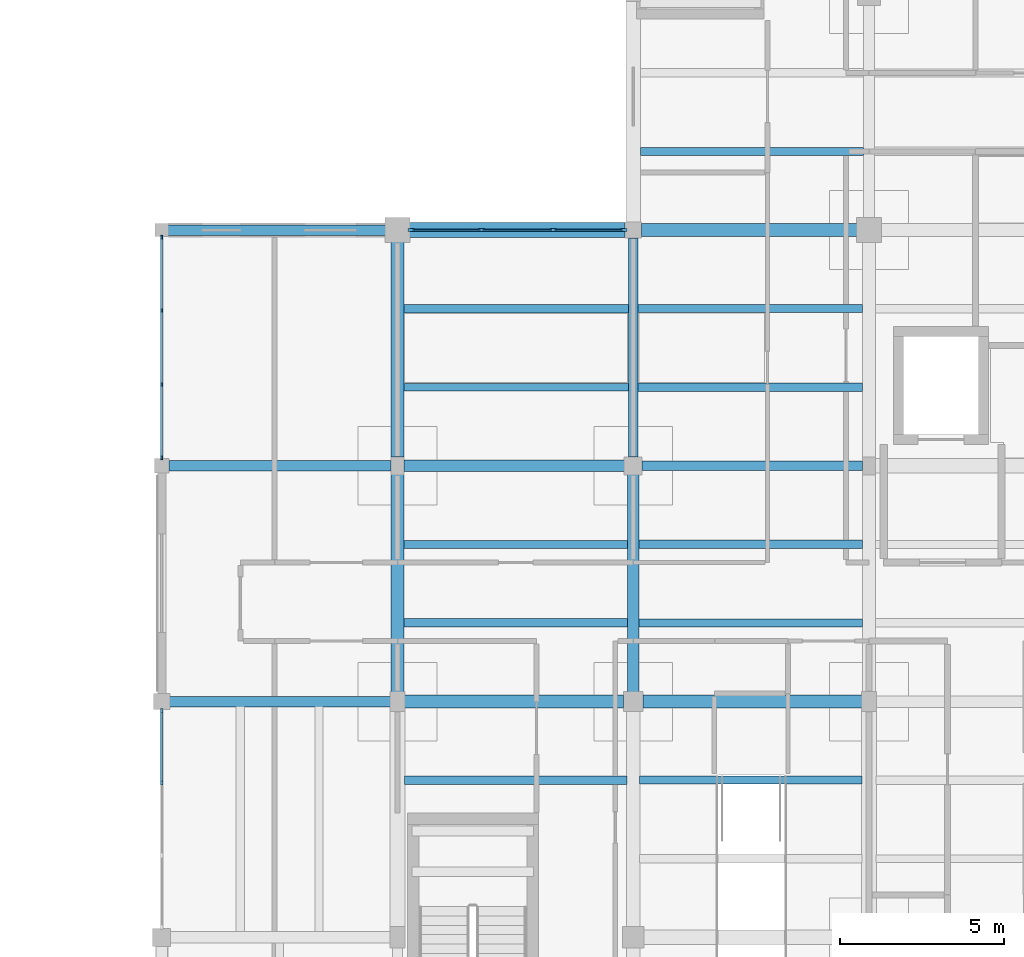
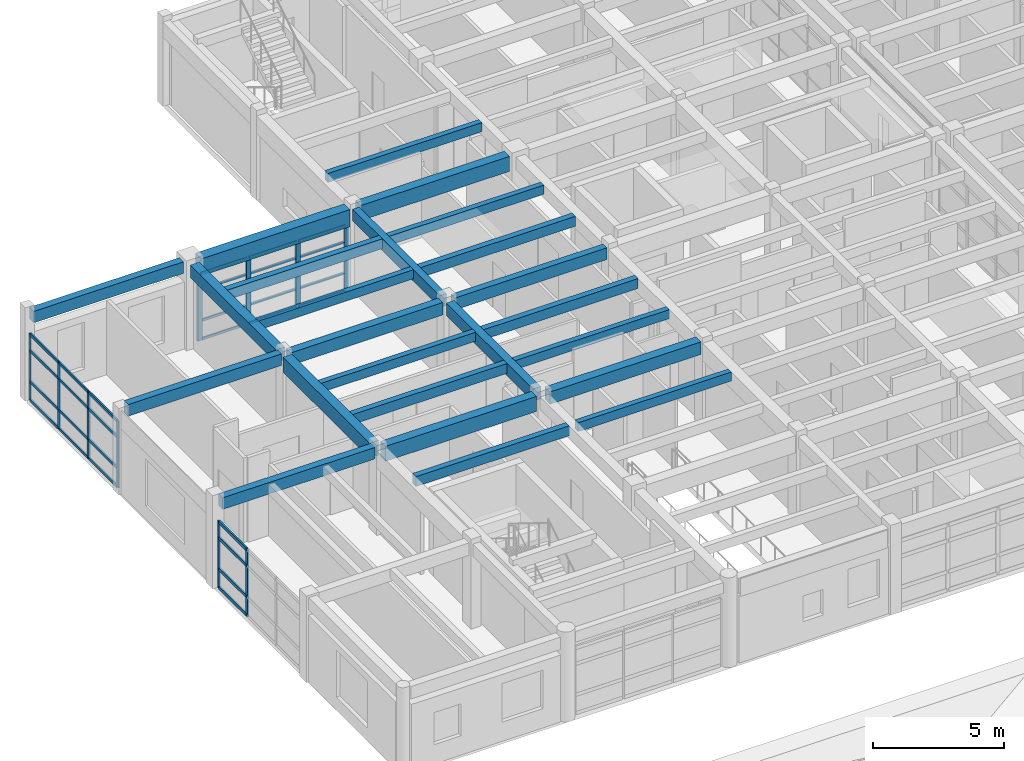
# One storey, part 29 of 110: 38 members, 24 beams, 3 elements without a shape of their own.
"""IFC4 building model written with IfcOpenShell, lengths in metres."""

from ifc_helpers import new_model, si_unit, direction, frame, origin, origin_2d, place, context, subcontext, project, spatial, rectangle, extrude, material, material_profile, profile_set, type_object, element, aggregate, save


model = new_model("IFC4")

# Units and contexts
model_context = context("Model", 3, precision=1e-05, world=origin(), true_north=direction((0.0, 1.0)))
body_context = subcontext(model_context, "Body", "Model", "MODEL_VIEW")
ifc_project = project(units=[si_unit("LENGTHUNIT", "METRE"), si_unit("AREAUNIT", "SQUARE_METRE"), si_unit("VOLUMEUNIT", "CUBIC_METRE"), si_unit("PLANEANGLEUNIT", "RADIAN"), si_unit("MASSUNIT", "GRAM", prefix="KILO")], contexts=[model_context])

# Site, building, storey
site_placement = place(None, origin())
site = spatial("IfcSite", under=ifc_project, at=site_placement, CompositionType="ELEMENT")
building_placement = place(site_placement, origin())
building = spatial("IfcBuilding", under=site, at=building_placement, Name="Steenspoor Specialist Clinic", CompositionType="ELEMENT")
storey_placement = place(building_placement, frame((0.0, 0.0, 4.800048828125)))
storey = spatial("IfcBuildingStorey", under=building, at=storey_placement, Name="L01", CompositionType="ELEMENT", Elevation=4.800048828125)

# Beams
ifc_material_1 = material(Name="Concrete C35/45", Category="concrete")
ifc_material_profile_1 = material_profile(ifc_material_1, rectangle(XDim=0.300048828125, YDim=0.550048828125, at=origin_2d()), Name="RC-BM-300X550")
ifc_profile_set_1 = profile_set([ifc_material_profile_1], Name="Concrete C35/45")
beam_type_1 = type_object("IfcBeamType", Name="BM-RC-300X550", PredefinedType="BEAM", material=ifc_profile_set_1)
beam_1_placement = place(storey_placement, frame((30.27001953125, 86.75, 3.675048828125), z_axis=(1.0, 0.0, 0.0), x_axis=(0.0, 1.0, 0.0)))
element("IfcBeam", 1, at=beam_1_placement, inside=storey, type_object=beam_type_1, Name="BM-V5-L01-X1166", PredefinedType="BEAM", context=body_context, shape_type="SweptSolid", body=[
    extrude(rectangle(XDim=0.300048828125, YDim=0.550048828125, at=origin_2d()), origin(), (0.0, 0.0, 1.0), 6.73486328125),
])
beam_2_placement = place(storey_placement, frame((30.0, 87.02001953125, 3.675048828125), z_axis=(0.0, 1.0, 0.0), x_axis=(-1.0, 0.0, 0.0)))
element("IfcBeam", 2, at=beam_2_placement, inside=storey, type_object=beam_type_1, Name="BM-V5-L01-Y1185", PredefinedType="BEAM", context=body_context, shape_type="SweptSolid", body=[
    extrude(rectangle(XDim=0.300048828125, YDim=0.550048828125, at=origin_2d()), origin(), (0.0, 0.0, 1.0), 6.68505859375),
])
ifc_material_profile_2 = material_profile(ifc_material_1, rectangle(XDim=0.35009765625, YDim=0.580078125, at=origin_2d()), Name="RC-BM-350X580")
ifc_profile_set_2 = profile_set([ifc_material_profile_2], Name="Concrete C35/45")
beam_type_2 = type_object("IfcBeamType", Name="BM-RC-350X580", PredefinedType="BEAM", material=ifc_profile_set_2)
beam_3_placement = place(storey_placement, frame((22.9951171875, 86.75, 3.659912109375), z_axis=(1.0, 0.0, 0.0), x_axis=(0.0, 1.0, 0.0)))
element("IfcBeam", 3, at=beam_3_placement, inside=storey, type_object=beam_type_2, Name="BM-V5-L01-X1165", PredefinedType="BEAM", context=body_context, shape_type="SweptSolid", body=[
    extrude(rectangle(XDim=0.35009765625, YDim=0.580078125, at=origin_2d()), origin(), (0.0, 0.0, 1.0), 6.73486328125),
])
beam_4_placement = place(storey_placement, frame((30.0, 79.844970703125, 3.659912109375), z_axis=(0.0, 1.0, 0.0), x_axis=(-1.0, 0.0, 0.0)))
element("IfcBeam", 4, at=beam_4_placement, inside=storey, type_object=beam_type_2, Name="BM-V5-L01-Y1184", PredefinedType="BEAM", context=body_context, shape_type="SweptSolid", body=[
    extrude(rectangle(XDim=0.35009765625, YDim=0.580078125, at=origin_2d()), origin(), (0.0, 0.0, 1.0), 6.635009765625),
])
ifc_material_profile_3 = material_profile(ifc_material_1, rectangle(XDim=0.39990234375, YDim=0.580078125, at=origin_2d()), Name="RC-BM-400X580")
ifc_profile_set_3 = profile_set([ifc_material_profile_3], Name="Concrete C35/45")
beam_type_3 = type_object("IfcBeamType", Name="BM-RC-400X580", PredefinedType="BEAM", material=ifc_profile_set_3)
beam_5_placement = place(storey_placement, frame((30.294921875, 79.550048828125, 3.659912109375), z_axis=(1.0, 0.0, 0.0), x_axis=(0.0, 1.0, 0.0)))
element("IfcBeam", 5, at=beam_5_placement, inside=storey, type_object=beam_type_3, Name="BM-V5-L01-X1162", PredefinedType="BEAM", context=body_context, shape_type="SweptSolid", body=[
    extrude(rectangle(XDim=0.39990234375, YDim=0.580078125, at=origin_2d()), origin(), (0.0, 0.0, 1.0), 6.68505859375),
])
beam_6_placement = place(storey_placement, frame((22.800048828125, 87.02001953125, 3.659912109375), z_axis=(0.0, 1.0, 0.0), x_axis=(-1.0, 0.0, 0.0)))
element("IfcBeam", 6, at=beam_6_placement, inside=storey, type_object=beam_type_3, Name="BM-V5-L01-Y1181", PredefinedType="BEAM", context=body_context, shape_type="SweptSolid", body=[
    extrude(rectangle(XDim=0.39990234375, YDim=0.580078125, at=origin_2d()), origin(), (0.0, 0.0, 1.0), 6.56005859375),
])
ifc_material_profile_4 = material_profile(ifc_material_1, rectangle(XDim=0.39990234375, YDim=0.699951171875, at=origin_2d()), Name="RC-BM-400X700")
ifc_profile_set_4 = profile_set([ifc_material_profile_4], Name="Concrete C35/45")
beam_type_4 = type_object("IfcBeamType", Name="BM-RC-400X700", PredefinedType="BEAM", material=ifc_profile_set_4)
beam_7_placement = place(storey_placement, frame((23.02001953125, 79.550048828125, 3.599853515625), z_axis=(1.0, 0.0, 0.0), x_axis=(0.0, 1.0, 0.0)))
element("IfcBeam", 7, at=beam_7_placement, inside=storey, type_object=beam_type_4, Name="BM-V5-L01-X1161", PredefinedType="BEAM", context=body_context, shape_type="SweptSolid", body=[
    extrude(rectangle(XDim=0.39990234375, YDim=0.699951171875, at=origin_2d()), origin(), (0.0, 0.0, 1.0), 6.68505859375),
])
beam_8_placement = place(storey_placement, frame((30.2451171875, 93.949951171875, 3.599853515625), z_axis=(1.0, 0.0, 0.0), x_axis=(0.0, 1.0, 0.0)))
element("IfcBeam", 8, at=beam_8_placement, inside=storey, type_object=beam_type_4, Name="BM-V5-L01-X1170", PredefinedType="BEAM", context=body_context, shape_type="SweptSolid", body=[
    extrude(rectangle(XDim=0.39990234375, YDim=0.699951171875, at=origin_2d()), origin(), (0.0, 0.0, 1.0), 6.5849609375),
])
beam_9_placement = place(storey_placement, frame((22.800048828125, 79.844970703125, 3.599853515625), z_axis=(0.0, 1.0, 0.0), x_axis=(-1.0, 0.0, 0.0)))
element("IfcBeam", 9, at=beam_9_placement, inside=storey, type_object=beam_type_4, Name="BM-V5-L01-Y1180", PredefinedType="BEAM", context=body_context, shape_type="SweptSolid", body=[
    extrude(rectangle(XDim=0.39990234375, YDim=0.699951171875, at=origin_2d()), origin(), (0.0, 0.0, 1.0), 6.635009765625),
])
ifc_material_profile_5 = material_profile(ifc_material_1, rectangle(XDim=0.449951171875, YDim=0.800048828125, at=origin_2d()), Name="RC-BM-450X800")
ifc_profile_set_5 = profile_set([ifc_material_profile_5], Name="Concrete C35/45")
beam_type_5 = type_object("IfcBeamType", Name="BM-RC-450X800", PredefinedType="BEAM", material=ifc_profile_set_5)
beam_10_placement = place(storey_placement, frame((23.169921875, 93.949951171875, 3.550048828125), z_axis=(1.0, 0.0, 0.0), x_axis=(0.0, 1.0, 0.0)))
element("IfcBeam", 10, at=beam_10_placement, inside=storey, type_object=beam_type_5, Name="BM-V5-L01-X1169", PredefinedType="BEAM", context=body_context, shape_type="SweptSolid", body=[
    extrude(rectangle(XDim=0.449951171875, YDim=0.800048828125, at=origin_2d()), origin(), (0.0, 0.0, 1.0), 6.5849609375),
])

# Curtain wall, members
ifc_material_2 = material(Name="Thermally broken aluminium and low-emissivity glass", Category="aluminium")
curtain_wall_type_1 = type_object("IfcCurtainWallType", Name="CW-WLK-360X340", PredefinedType="USERDEFINED", material=ifc_material_2)
curtain_wall_1_placement = place(storey_placement, origin())
curtain_wall_1 = element("IfcCurtainWall", 11, at=curtain_wall_1_placement, inside=storey, type_object=curtain_wall_type_1, Name="Unitised Curtain Wall CW-V5-L01-142", ObjectType="UNITISED GLAZING", PredefinedType="USERDEFINED")
ifc_material_3 = material(Name="Thermally broken aluminium 6063-T6", Category="aluminium")
ifc_material_profile_6 = material_profile(ifc_material_3, rectangle(XDim=0.06005859375, YDim=0.135009765625, at=origin_2d()), Name="CWM-60X135")
ifc_profile_set_6 = profile_set([ifc_material_profile_6], Name="Thermally broken aluminium 6063-T6")
member_type_1 = type_object("IfcMemberType", Name="CW-MULL-60X135", PredefinedType="MULLION", material=ifc_profile_set_6)
member_1_placement = place(storey_placement, frame((15.60009765625, 87.0048828125, 0.0), z_axis=(0.0, 0.0, 1.0), x_axis=(-1.0, 0.0, 0.0)))
member_1 = element("IfcMember", 12, at=member_1_placement, type_object=member_type_1, Name="CW-22 mullion 1", PredefinedType="MULLION", context=body_context, shape_type="SweptSolid", body=[
    extrude(rectangle(XDim=0.06005859375, YDim=0.135009765625, at=origin_2d()), origin(), (0.0, 0.0, 1.0), 3.1298828125),
])
member_2_placement = place(storey_placement, frame((15.60009765625, 89.2333984375, 0.0), z_axis=(0.0, 0.0, 1.0), x_axis=(-1.0, 0.0, 0.0)))
member_2 = element("IfcMember", 13, at=member_2_placement, type_object=member_type_1, Name="CW-22 mullion 2", PredefinedType="MULLION", context=body_context, shape_type="SweptSolid", body=[
    extrude(rectangle(XDim=0.06005859375, YDim=0.135009765625, at=origin_2d()), origin(), (0.0, 0.0, 1.0), 3.1298828125),
])
member_3_placement = place(storey_placement, frame((15.60009765625, 91.49169921875, 0.0), z_axis=(0.0, 0.0, 1.0), x_axis=(-1.0, 0.0, 0.0)))
member_3 = element("IfcMember", 14, at=member_3_placement, type_object=member_type_1, Name="CW-22 mullion 3", PredefinedType="MULLION", context=body_context, shape_type="SweptSolid", body=[
    extrude(rectangle(XDim=0.06005859375, YDim=0.135009765625, at=origin_2d()), origin(), (0.0, 0.0, 1.0), 3.1298828125),
])
member_4_placement = place(storey_placement, frame((15.60009765625, 93.719970703125, 0.0), z_axis=(0.0, 0.0, 1.0), x_axis=(-1.0, 0.0, 0.0)))
member_4 = element("IfcMember", 15, at=member_4_placement, type_object=member_type_1, Name="CW-22 mullion 4", PredefinedType="MULLION", context=body_context, shape_type="SweptSolid", body=[
    extrude(rectangle(XDim=0.06005859375, YDim=0.135009765625, at=origin_2d()), origin(), (0.0, 0.0, 1.0), 3.1298828125),
])

curtain_wall_type_2 = type_object("IfcCurtainWallType", Name="CW-WLK-520X340", PredefinedType="USERDEFINED", material=ifc_material_2)
curtain_wall_2_placement = place(storey_placement, origin())
curtain_wall_2 = element("IfcCurtainWall", 16, at=curtain_wall_2_placement, inside=storey, type_object=curtain_wall_type_2, Name="Unitised Curtain Wall CW-V5-L01-141", ObjectType="UNITISED GLAZING", PredefinedType="USERDEFINED")
ifc_material_profile_7 = material_profile(ifc_material_3, rectangle(XDim=0.06494140625, YDim=0.14990234375, at=origin_2d()), Name="CWM-65X150")
ifc_profile_set_7 = profile_set([ifc_material_profile_7], Name="Thermally broken aluminium 6063-T6")
member_type_2 = type_object("IfcMemberType", Name="CW-MULL-65X150", PredefinedType="MULLION", material=ifc_profile_set_7)
member_5_placement = place(storey_placement, frame((15.60009765625, 77.074951171875, 0.0), z_axis=(0.0, 0.0, 1.0), x_axis=(-1.0, 0.0, 0.0)))
member_5 = element("IfcMember", 17, at=member_5_placement, type_object=member_type_2, Name="CW-21 mullion 3", PredefinedType="MULLION", context=body_context, shape_type="SweptSolid", body=[
    extrude(rectangle(XDim=0.06494140625, YDim=0.14990234375, at=origin_2d()), origin(), (0.0, 0.0, 1.0), 3.1298828125),
])
member_6_placement = place(storey_placement, frame((15.60009765625, 79.267578125, 0.0), z_axis=(0.0, 0.0, 1.0), x_axis=(-1.0, 0.0, 0.0)))
member_6 = element("IfcMember", 18, at=member_6_placement, type_object=member_type_2, Name="CW-21 mullion 4", PredefinedType="MULLION", context=body_context, shape_type="SweptSolid", body=[
    extrude(rectangle(XDim=0.06494140625, YDim=0.14990234375, at=origin_2d()), origin(), (0.0, 0.0, 1.0), 3.1298828125),
])

curtain_wall_type_3 = type_object("IfcCurtainWallType", Name="CW-STR-220X355", PredefinedType="USERDEFINED", material=ifc_material_2)
curtain_wall_3_placement = place(storey_placement, origin())
curtain_wall_3 = element("IfcCurtainWall", 19, at=curtain_wall_3_placement, inside=storey, type_object=curtain_wall_type_3, Name="Unitised Curtain Wall CW-V5-L01-143", ObjectType="UNITISED GLAZING", PredefinedType="USERDEFINED")
ifc_material_profile_8 = material_profile(ifc_material_3, rectangle(XDim=0.090087890625, YDim=0.199951171875, at=origin_2d()), Name="CWM-90X200")
ifc_profile_set_8 = profile_set([ifc_material_profile_8], Name="Thermally broken aluminium 6063-T6")
member_type_3 = type_object("IfcMemberType", Name="CW-MULL-90X200", PredefinedType="MULLION", material=ifc_profile_set_8)
member_7_placement = place(storey_placement, frame((23.219970703125, 93.949951171875, 0.0), z_axis=(0.0, 0.0, 1.0), x_axis=(0.0, 1.0, 0.0)))
member_7 = element("IfcMember", 20, at=member_7_placement, type_object=member_type_3, Name="CW-23 mullion 1", PredefinedType="MULLION", context=body_context, shape_type="SweptSolid", body=[
    extrude(rectangle(XDim=0.090087890625, YDim=0.199951171875, at=origin_2d()), origin(), (0.0, 0.0, 1.0), 3.1298828125),
])
member_8_placement = place(storey_placement, frame((25.36669921875, 93.949951171875, 0.0), z_axis=(0.0, 0.0, 1.0), x_axis=(0.0, 1.0, 0.0)))
member_8 = element("IfcMember", 21, at=member_8_placement, type_object=member_type_3, Name="CW-23 mullion 2", PredefinedType="MULLION", context=body_context, shape_type="SweptSolid", body=[
    extrude(rectangle(XDim=0.090087890625, YDim=0.199951171875, at=origin_2d()), origin(), (0.0, 0.0, 1.0), 3.1298828125),
])
member_9_placement = place(storey_placement, frame((27.558349609375, 93.949951171875, 0.0), z_axis=(0.0, 0.0, 1.0), x_axis=(0.0, 1.0, 0.0)))
member_9 = element("IfcMember", 22, at=member_9_placement, type_object=member_type_3, Name="CW-23 mullion 3", PredefinedType="MULLION", context=body_context, shape_type="SweptSolid", body=[
    extrude(rectangle(XDim=0.090087890625, YDim=0.199951171875, at=origin_2d()), origin(), (0.0, 0.0, 1.0), 3.1298828125),
])
member_10_placement = place(storey_placement, frame((29.705078125, 93.949951171875, 0.0), z_axis=(0.0, 0.0, 1.0), x_axis=(0.0, 1.0, 0.0)))
member_10 = element("IfcMember", 23, at=member_10_placement, type_object=member_type_3, Name="CW-23 mullion 4", PredefinedType="MULLION", context=body_context, shape_type="SweptSolid", body=[
    extrude(rectangle(XDim=0.090087890625, YDim=0.199951171875, at=origin_2d()), origin(), (0.0, 0.0, 1.0), 3.1298828125),
])
ifc_material_profile_9 = material_profile(ifc_material_3, rectangle(XDim=0.06005859375, YDim=0.114990234375, at=origin_2d()), Name="CWT-60X115")
ifc_profile_set_9 = profile_set([ifc_material_profile_9], Name="Thermally broken aluminium 6063-T6")
member_type_4 = type_object("IfcMemberType", Name="CW-TRAN-60X115", PredefinedType="USERDEFINED", material=ifc_profile_set_9)
member_11_placement = place(storey_placement, frame((23.264892578125, 93.949951171875, 0.030029296875), z_axis=(1.0, 0.0, 0.0), x_axis=(0.0, 1.0, 0.0)))
member_11 = element("IfcMember", 24, at=member_11_placement, type_object=member_type_4, Name="CW-23 transom 1.1", ObjectType="TRANSOM", PredefinedType="USERDEFINED", context=body_context, shape_type="SweptSolid", body=[
    extrude(rectangle(XDim=0.06005859375, YDim=0.114990234375, at=origin_2d()), origin(), (0.0, 0.0, 1.0), 2.056884765625),
])
member_12_placement = place(storey_placement, frame((23.264892578125, 93.949951171875, 0.89990234375), z_axis=(1.0, 0.0, 0.0), x_axis=(0.0, 1.0, 0.0)))
member_12 = element("IfcMember", 25, at=member_12_placement, type_object=member_type_4, Name="CW-23 transom 1.2", ObjectType="TRANSOM", PredefinedType="USERDEFINED", context=body_context, shape_type="SweptSolid", body=[
    extrude(rectangle(XDim=0.06005859375, YDim=0.114990234375, at=origin_2d()), origin(), (0.0, 0.0, 1.0), 2.056884765625),
])
member_13_placement = place(storey_placement, frame((23.264892578125, 93.949951171875, 2.349853515625), z_axis=(1.0, 0.0, 0.0), x_axis=(0.0, 1.0, 0.0)))
member_13 = element("IfcMember", 26, at=member_13_placement, type_object=member_type_4, Name="CW-23 transom 1.3", ObjectType="TRANSOM", PredefinedType="USERDEFINED", context=body_context, shape_type="SweptSolid", body=[
    extrude(rectangle(XDim=0.06005859375, YDim=0.114990234375, at=origin_2d()), origin(), (0.0, 0.0, 1.0), 2.056884765625),
])
member_14_placement = place(storey_placement, frame((23.264892578125, 93.949951171875, 3.099853515625), z_axis=(1.0, 0.0, 0.0), x_axis=(0.0, 1.0, 0.0)))
member_14 = element("IfcMember", 27, at=member_14_placement, type_object=member_type_4, Name="CW-23 transom 1.4", ObjectType="TRANSOM", PredefinedType="USERDEFINED", context=body_context, shape_type="SweptSolid", body=[
    extrude(rectangle(XDim=0.06005859375, YDim=0.114990234375, at=origin_2d()), origin(), (0.0, 0.0, 1.0), 2.056884765625),
])
member_15_placement = place(storey_placement, frame((25.41162109375, 93.949951171875, 0.030029296875), z_axis=(1.0, 0.0, 0.0), x_axis=(0.0, 1.0, 0.0)))
member_15 = element("IfcMember", 28, at=member_15_placement, type_object=member_type_4, Name="CW-23 transom 2.1", ObjectType="TRANSOM", PredefinedType="USERDEFINED", context=body_context, shape_type="SweptSolid", body=[
    extrude(rectangle(XDim=0.06005859375, YDim=0.114990234375, at=origin_2d()), origin(), (0.0, 0.0, 1.0), 2.101806640625),
])
member_16_placement = place(storey_placement, frame((25.41162109375, 93.949951171875, 0.89990234375), z_axis=(1.0, 0.0, 0.0), x_axis=(0.0, 1.0, 0.0)))
member_16 = element("IfcMember", 29, at=member_16_placement, type_object=member_type_4, Name="CW-23 transom 2.2", ObjectType="TRANSOM", PredefinedType="USERDEFINED", context=body_context, shape_type="SweptSolid", body=[
    extrude(rectangle(XDim=0.06005859375, YDim=0.114990234375, at=origin_2d()), origin(), (0.0, 0.0, 1.0), 2.101806640625),
])
member_17_placement = place(storey_placement, frame((25.41162109375, 93.949951171875, 2.349853515625), z_axis=(1.0, 0.0, 0.0), x_axis=(0.0, 1.0, 0.0)))
member_17 = element("IfcMember", 30, at=member_17_placement, type_object=member_type_4, Name="CW-23 transom 2.3", ObjectType="TRANSOM", PredefinedType="USERDEFINED", context=body_context, shape_type="SweptSolid", body=[
    extrude(rectangle(XDim=0.06005859375, YDim=0.114990234375, at=origin_2d()), origin(), (0.0, 0.0, 1.0), 2.101806640625),
])
member_18_placement = place(storey_placement, frame((25.41162109375, 93.949951171875, 3.099853515625), z_axis=(1.0, 0.0, 0.0), x_axis=(0.0, 1.0, 0.0)))
member_18 = element("IfcMember", 31, at=member_18_placement, type_object=member_type_4, Name="CW-23 transom 2.4", ObjectType="TRANSOM", PredefinedType="USERDEFINED", context=body_context, shape_type="SweptSolid", body=[
    extrude(rectangle(XDim=0.06005859375, YDim=0.114990234375, at=origin_2d()), origin(), (0.0, 0.0, 1.0), 2.101806640625),
])
member_19_placement = place(storey_placement, frame((27.603271484375, 93.949951171875, 0.030029296875), z_axis=(1.0, 0.0, 0.0), x_axis=(0.0, 1.0, 0.0)))
member_19 = element("IfcMember", 32, at=member_19_placement, type_object=member_type_4, Name="CW-23 transom 3.1", ObjectType="TRANSOM", PredefinedType="USERDEFINED", context=body_context, shape_type="SweptSolid", body=[
    extrude(rectangle(XDim=0.06005859375, YDim=0.114990234375, at=origin_2d()), origin(), (0.0, 0.0, 1.0), 2.056640625),
])
member_20_placement = place(storey_placement, frame((27.603271484375, 93.949951171875, 0.89990234375), z_axis=(1.0, 0.0, 0.0), x_axis=(0.0, 1.0, 0.0)))
member_20 = element("IfcMember", 33, at=member_20_placement, type_object=member_type_4, Name="CW-23 transom 3.2", ObjectType="TRANSOM", PredefinedType="USERDEFINED", context=body_context, shape_type="SweptSolid", body=[
    extrude(rectangle(XDim=0.06005859375, YDim=0.114990234375, at=origin_2d()), origin(), (0.0, 0.0, 1.0), 2.056640625),
])
member_21_placement = place(storey_placement, frame((27.603271484375, 93.949951171875, 2.349853515625), z_axis=(1.0, 0.0, 0.0), x_axis=(0.0, 1.0, 0.0)))
member_21 = element("IfcMember", 34, at=member_21_placement, type_object=member_type_4, Name="CW-23 transom 3.3", ObjectType="TRANSOM", PredefinedType="USERDEFINED", context=body_context, shape_type="SweptSolid", body=[
    extrude(rectangle(XDim=0.06005859375, YDim=0.114990234375, at=origin_2d()), origin(), (0.0, 0.0, 1.0), 2.056640625),
])
member_22_placement = place(storey_placement, frame((27.603271484375, 93.949951171875, 3.099853515625), z_axis=(1.0, 0.0, 0.0), x_axis=(0.0, 1.0, 0.0)))
member_22 = element("IfcMember", 35, at=member_22_placement, type_object=member_type_4, Name="CW-23 transom 3.4", ObjectType="TRANSOM", PredefinedType="USERDEFINED", context=body_context, shape_type="SweptSolid", body=[
    extrude(rectangle(XDim=0.06005859375, YDim=0.114990234375, at=origin_2d()), origin(), (0.0, 0.0, 1.0), 2.056640625),
])
aggregate(curtain_wall_3, [member_7, member_8, member_9, member_10, member_11, member_12, member_13, member_14, member_15, member_16, member_17, member_18, member_19, member_20, member_21, member_22])

# Member
ifc_material_profile_10 = material_profile(ifc_material_3, rectangle(XDim=0.06494140625, YDim=0.1298828125, at=origin_2d()), Name="CWT-65X130")
ifc_profile_set_10 = profile_set([ifc_material_profile_10], Name="Thermally broken aluminium 6063-T6")
member_type_5 = type_object("IfcMemberType", Name="CW-TRAN-65X130", PredefinedType="USERDEFINED", material=ifc_profile_set_10)
member_23_placement = place(storey_placement, frame((15.60009765625, 87.034912109375, 0.032470703125), z_axis=(0.0, 1.0, 0.0), x_axis=(-1.0, 0.0, 0.0)))
member_23 = element("IfcMember", 36, at=member_23_placement, type_object=member_type_5, Name="CW-22 transom 1.1", ObjectType="TRANSOM", PredefinedType="USERDEFINED", context=body_context, shape_type="SweptSolid", body=[
    extrude(rectangle(XDim=0.06494140625, YDim=0.1298828125, at=origin_2d()), origin(), (0.0, 0.0, 1.0), 2.16845703125),
])

member_24_placement = place(storey_placement, frame((15.60009765625, 87.034912109375, 0.89990234375), z_axis=(0.0, 1.0, 0.0), x_axis=(-1.0, 0.0, 0.0)))
member_24 = element("IfcMember", 37, at=member_24_placement, type_object=member_type_5, Name="CW-22 transom 1.2", ObjectType="TRANSOM", PredefinedType="USERDEFINED", context=body_context, shape_type="SweptSolid", body=[
    extrude(rectangle(XDim=0.06494140625, YDim=0.1298828125, at=origin_2d()), origin(), (0.0, 0.0, 1.0), 2.16845703125),
])

member_25_placement = place(storey_placement, frame((15.60009765625, 87.034912109375, 2.349853515625), z_axis=(0.0, 1.0, 0.0), x_axis=(-1.0, 0.0, 0.0)))
member_25 = element("IfcMember", 38, at=member_25_placement, type_object=member_type_5, Name="CW-22 transom 1.3", ObjectType="TRANSOM", PredefinedType="USERDEFINED", context=body_context, shape_type="SweptSolid", body=[
    extrude(rectangle(XDim=0.06494140625, YDim=0.1298828125, at=origin_2d()), origin(), (0.0, 0.0, 1.0), 2.16845703125),
])

member_26_placement = place(storey_placement, frame((15.60009765625, 87.034912109375, 3.097412109375), z_axis=(0.0, 1.0, 0.0), x_axis=(-1.0, 0.0, 0.0)))
member_26 = element("IfcMember", 39, at=member_26_placement, type_object=member_type_5, Name="CW-22 transom 1.4", ObjectType="TRANSOM", PredefinedType="USERDEFINED", context=body_context, shape_type="SweptSolid", body=[
    extrude(rectangle(XDim=0.06494140625, YDim=0.1298828125, at=origin_2d()), origin(), (0.0, 0.0, 1.0), 2.16845703125),
])

member_27_placement = place(storey_placement, frame((15.60009765625, 89.263427734375, 0.032470703125), z_axis=(0.0, 1.0, 0.0), x_axis=(-1.0, 0.0, 0.0)))
member_27 = element("IfcMember", 40, at=member_27_placement, type_object=member_type_5, Name="CW-22 transom 2.1", ObjectType="TRANSOM", PredefinedType="USERDEFINED", context=body_context, shape_type="SweptSolid", body=[
    extrude(rectangle(XDim=0.06494140625, YDim=0.1298828125, at=origin_2d()), origin(), (0.0, 0.0, 1.0), 2.1982421875),
])

member_28_placement = place(storey_placement, frame((15.60009765625, 89.263427734375, 0.89990234375), z_axis=(0.0, 1.0, 0.0), x_axis=(-1.0, 0.0, 0.0)))
member_28 = element("IfcMember", 41, at=member_28_placement, type_object=member_type_5, Name="CW-22 transom 2.2", ObjectType="TRANSOM", PredefinedType="USERDEFINED", context=body_context, shape_type="SweptSolid", body=[
    extrude(rectangle(XDim=0.06494140625, YDim=0.1298828125, at=origin_2d()), origin(), (0.0, 0.0, 1.0), 2.1982421875),
])

member_29_placement = place(storey_placement, frame((15.60009765625, 89.263427734375, 2.349853515625), z_axis=(0.0, 1.0, 0.0), x_axis=(-1.0, 0.0, 0.0)))
member_29 = element("IfcMember", 42, at=member_29_placement, type_object=member_type_5, Name="CW-22 transom 2.3", ObjectType="TRANSOM", PredefinedType="USERDEFINED", context=body_context, shape_type="SweptSolid", body=[
    extrude(rectangle(XDim=0.06494140625, YDim=0.1298828125, at=origin_2d()), origin(), (0.0, 0.0, 1.0), 2.1982421875),
])

member_30_placement = place(storey_placement, frame((15.60009765625, 89.263427734375, 3.097412109375), z_axis=(0.0, 1.0, 0.0), x_axis=(-1.0, 0.0, 0.0)))
member_30 = element("IfcMember", 43, at=member_30_placement, type_object=member_type_5, Name="CW-22 transom 2.4", ObjectType="TRANSOM", PredefinedType="USERDEFINED", context=body_context, shape_type="SweptSolid", body=[
    extrude(rectangle(XDim=0.06494140625, YDim=0.1298828125, at=origin_2d()), origin(), (0.0, 0.0, 1.0), 2.1982421875),
])

member_31_placement = place(storey_placement, frame((15.60009765625, 91.521728515625, 0.032470703125), z_axis=(0.0, 1.0, 0.0), x_axis=(-1.0, 0.0, 0.0)))
member_31 = element("IfcMember", 44, at=member_31_placement, type_object=member_type_5, Name="CW-22 transom 3.1", ObjectType="TRANSOM", PredefinedType="USERDEFINED", context=body_context, shape_type="SweptSolid", body=[
    extrude(rectangle(XDim=0.06494140625, YDim=0.1298828125, at=origin_2d()), origin(), (0.0, 0.0, 1.0), 2.168212890625),
])

member_32_placement = place(storey_placement, frame((15.60009765625, 91.521728515625, 0.89990234375), z_axis=(0.0, 1.0, 0.0), x_axis=(-1.0, 0.0, 0.0)))
member_32 = element("IfcMember", 45, at=member_32_placement, type_object=member_type_5, Name="CW-22 transom 3.2", ObjectType="TRANSOM", PredefinedType="USERDEFINED", context=body_context, shape_type="SweptSolid", body=[
    extrude(rectangle(XDim=0.06494140625, YDim=0.1298828125, at=origin_2d()), origin(), (0.0, 0.0, 1.0), 2.168212890625),
])

member_33_placement = place(storey_placement, frame((15.60009765625, 91.521728515625, 2.349853515625), z_axis=(0.0, 1.0, 0.0), x_axis=(-1.0, 0.0, 0.0)))
member_33 = element("IfcMember", 46, at=member_33_placement, type_object=member_type_5, Name="CW-22 transom 3.3", ObjectType="TRANSOM", PredefinedType="USERDEFINED", context=body_context, shape_type="SweptSolid", body=[
    extrude(rectangle(XDim=0.06494140625, YDim=0.1298828125, at=origin_2d()), origin(), (0.0, 0.0, 1.0), 2.168212890625),
])

member_34_placement = place(storey_placement, frame((15.60009765625, 91.521728515625, 3.097412109375), z_axis=(0.0, 1.0, 0.0), x_axis=(-1.0, 0.0, 0.0)))
member_34 = element("IfcMember", 47, at=member_34_placement, type_object=member_type_5, Name="CW-22 transom 3.4", ObjectType="TRANSOM", PredefinedType="USERDEFINED", context=body_context, shape_type="SweptSolid", body=[
    extrude(rectangle(XDim=0.06494140625, YDim=0.1298828125, at=origin_2d()), origin(), (0.0, 0.0, 1.0), 2.168212890625),
])

aggregate(curtain_wall_1, [member_1, member_2, member_3, member_4, member_23, member_24, member_25, member_26, member_27, member_28, member_29, member_30, member_31, member_32, member_33, member_34])

ifc_material_profile_11 = material_profile(ifc_material_3, rectangle(XDim=0.070068359375, YDim=0.14501953125, at=origin_2d()), Name="CWT-70X145")
ifc_profile_set_11 = profile_set([ifc_material_profile_11], Name="Thermally broken aluminium 6063-T6")
member_type_6 = type_object("IfcMemberType", Name="CW-TRAN-70X145", PredefinedType="USERDEFINED", material=ifc_profile_set_11)
member_35_placement = place(storey_placement, frame((15.60009765625, 77.107421875, 0.034912109375), z_axis=(0.0, 1.0, 0.0), x_axis=(-1.0, 0.0, 0.0)))
member_35 = element("IfcMember", 48, at=member_35_placement, type_object=member_type_6, Name="CW-21 transom 3.1", ObjectType="TRANSOM", PredefinedType="USERDEFINED", context=body_context, shape_type="SweptSolid", body=[
    extrude(rectangle(XDim=0.070068359375, YDim=0.14501953125, at=origin_2d()), origin(), (0.0, 0.0, 1.0), 2.127685546875),
])

member_36_placement = place(storey_placement, frame((15.60009765625, 77.107421875, 0.89990234375), z_axis=(0.0, 1.0, 0.0), x_axis=(-1.0, 0.0, 0.0)))
member_36 = element("IfcMember", 49, at=member_36_placement, type_object=member_type_6, Name="CW-21 transom 3.2", ObjectType="TRANSOM", PredefinedType="USERDEFINED", context=body_context, shape_type="SweptSolid", body=[
    extrude(rectangle(XDim=0.070068359375, YDim=0.14501953125, at=origin_2d()), origin(), (0.0, 0.0, 1.0), 2.127685546875),
])

member_37_placement = place(storey_placement, frame((15.60009765625, 77.107421875, 2.349853515625), z_axis=(0.0, 1.0, 0.0), x_axis=(-1.0, 0.0, 0.0)))
member_37 = element("IfcMember", 50, at=member_37_placement, type_object=member_type_6, Name="CW-21 transom 3.3", ObjectType="TRANSOM", PredefinedType="USERDEFINED", context=body_context, shape_type="SweptSolid", body=[
    extrude(rectangle(XDim=0.070068359375, YDim=0.14501953125, at=origin_2d()), origin(), (0.0, 0.0, 1.0), 2.127685546875),
])

member_38_placement = place(storey_placement, frame((15.60009765625, 77.107421875, 3.094970703125), z_axis=(0.0, 1.0, 0.0), x_axis=(-1.0, 0.0, 0.0)))
member_38 = element("IfcMember", 51, at=member_38_placement, type_object=member_type_6, Name="CW-21 transom 3.4", ObjectType="TRANSOM", PredefinedType="USERDEFINED", context=body_context, shape_type="SweptSolid", body=[
    extrude(rectangle(XDim=0.070068359375, YDim=0.14501953125, at=origin_2d()), origin(), (0.0, 0.0, 1.0), 2.127685546875),
])

aggregate(curtain_wall_2, [member_5, member_6, member_35, member_36, member_37, member_38])

# Beams
ifc_material_profile_12 = material_profile(ifc_material_1, rectangle(XDim=0.239990234375, YDim=0.419921875, at=origin_2d()), Name="RC-JT-240X420")
ifc_profile_set_12 = profile_set([ifc_material_profile_12], Name="Concrete C35/45")
beam_type_6 = type_object("IfcBeamType", Name="JT-RC-240X420", PredefinedType="JOIST", material=ifc_profile_set_12)
beam_11_placement = place(storey_placement, frame((22.9951171875, 84.35009765625, 3.739990234375), z_axis=(1.0, 0.0, 0.0), x_axis=(0.0, 1.0, 0.0)))
element("IfcBeam", 52, at=beam_11_placement, inside=storey, type_object=beam_type_6, Name="JT-V5-L01-1215", PredefinedType="JOIST", context=body_context, shape_type="SweptSolid", body=[
    extrude(rectangle(XDim=0.239990234375, YDim=0.419921875, at=origin_2d()), origin(), (0.0, 0.0, 1.0), 6.8349609375),
])
beam_12_placement = place(storey_placement, frame((22.9951171875, 89.14990234375, 3.739990234375), z_axis=(1.0, 0.0, 0.0), x_axis=(0.0, 1.0, 0.0)))
element("IfcBeam", 53, at=beam_12_placement, inside=storey, type_object=beam_type_6, Name="JT-V5-L01-1216", PredefinedType="JOIST", context=body_context, shape_type="SweptSolid", body=[
    extrude(rectangle(XDim=0.239990234375, YDim=0.419921875, at=origin_2d()), origin(), (0.0, 0.0, 1.0), 6.85986328125),
])
beam_13_placement = place(storey_placement, frame((30.195068359375, 77.14990234375, 3.739990234375), z_axis=(1.0, 0.0, 0.0), x_axis=(0.0, 1.0, 0.0)))
element("IfcBeam", 54, at=beam_13_placement, inside=storey, type_object=beam_type_6, Name="JT-V5-L01-1221", PredefinedType="JOIST", context=body_context, shape_type="SweptSolid", body=[
    extrude(rectangle(XDim=0.239990234375, YDim=0.419921875, at=origin_2d()), origin(), (0.0, 0.0, 1.0), 6.784912109375),
])
beam_14_placement = place(storey_placement, frame((30.169921875, 81.949951171875, 3.739990234375), z_axis=(1.0, 0.0, 0.0), x_axis=(0.0, 1.0, 0.0)))
element("IfcBeam", 55, at=beam_14_placement, inside=storey, type_object=beam_type_6, Name="JT-V5-L01-1222", PredefinedType="JOIST", context=body_context, shape_type="SweptSolid", body=[
    extrude(rectangle(XDim=0.239990234375, YDim=0.419921875, at=origin_2d()), origin(), (0.0, 0.0, 1.0), 6.8349609375),
])
beam_15_placement = place(storey_placement, frame((30.14501953125, 91.550048828125, 3.739990234375), z_axis=(1.0, 0.0, 0.0), x_axis=(0.0, 1.0, 0.0)))
element("IfcBeam", 56, at=beam_15_placement, inside=storey, type_object=beam_type_6, Name="JT-V5-L01-1225", PredefinedType="JOIST", context=body_context, shape_type="SweptSolid", body=[
    extrude(rectangle(XDim=0.239990234375, YDim=0.419921875, at=origin_2d()), origin(), (0.0, 0.0, 1.0), 6.85986328125),
])
beam_16_placement = place(storey_placement, frame((30.219970703125, 96.35009765625, 3.739990234375), z_axis=(1.0, 0.0, 0.0), x_axis=(0.0, 1.0, 0.0)))
element("IfcBeam", 57, at=beam_16_placement, inside=storey, type_object=beam_type_6, Name="JT-V5-L01-1226", PredefinedType="JOIST", context=body_context, shape_type="SweptSolid", body=[
    extrude(rectangle(XDim=0.239990234375, YDim=0.419921875, at=origin_2d()), origin(), (0.0, 0.0, 1.0), 6.81005859375),
])
ifc_material_profile_13 = material_profile(ifc_material_1, rectangle(XDim=0.260009765625, YDim=0.4599609375, at=origin_2d()), Name="RC-JT-260X460")
ifc_profile_set_13 = profile_set([ifc_material_profile_13], Name="Concrete C35/45")
beam_type_7 = type_object("IfcBeamType", Name="JT-RC-260X460", PredefinedType="JOIST", material=ifc_profile_set_13)
beam_17_placement = place(storey_placement, frame((23.02001953125, 77.14990234375, 3.719970703125), z_axis=(1.0, 0.0, 0.0), x_axis=(0.0, 1.0, 0.0)))
element("IfcBeam", 58, at=beam_17_placement, inside=storey, type_object=beam_type_7, Name="JT-V5-L01-1213", PredefinedType="JOIST", context=body_context, shape_type="SweptSolid", body=[
    extrude(rectangle(XDim=0.260009765625, YDim=0.4599609375, at=origin_2d()), origin(), (0.0, 0.0, 1.0), 6.784912109375),
])
beam_18_placement = place(storey_placement, frame((22.9951171875, 81.949951171875, 3.719970703125), z_axis=(1.0, 0.0, 0.0), x_axis=(0.0, 1.0, 0.0)))
element("IfcBeam", 59, at=beam_18_placement, inside=storey, type_object=beam_type_7, Name="JT-V5-L01-1214", PredefinedType="JOIST", context=body_context, shape_type="SweptSolid", body=[
    extrude(rectangle(XDim=0.260009765625, YDim=0.4599609375, at=origin_2d()), origin(), (0.0, 0.0, 1.0), 6.8349609375),
])
beam_19_placement = place(storey_placement, frame((22.9951171875, 91.550048828125, 3.719970703125), z_axis=(1.0, 0.0, 0.0), x_axis=(0.0, 1.0, 0.0)))
element("IfcBeam", 60, at=beam_19_placement, inside=storey, type_object=beam_type_7, Name="JT-V5-L01-1217", PredefinedType="JOIST", context=body_context, shape_type="SweptSolid", body=[
    extrude(rectangle(XDim=0.260009765625, YDim=0.4599609375, at=origin_2d()), origin(), (0.0, 0.0, 1.0), 6.85986328125),
])
beam_20_placement = place(storey_placement, frame((30.169921875, 84.35009765625, 3.719970703125), z_axis=(1.0, 0.0, 0.0), x_axis=(0.0, 1.0, 0.0)))
element("IfcBeam", 61, at=beam_20_placement, inside=storey, type_object=beam_type_7, Name="JT-V5-L01-1223", PredefinedType="JOIST", context=body_context, shape_type="SweptSolid", body=[
    extrude(rectangle(XDim=0.260009765625, YDim=0.4599609375, at=origin_2d()), origin(), (0.0, 0.0, 1.0), 6.8349609375),
])
beam_21_placement = place(storey_placement, frame((30.14501953125, 89.14990234375, 3.719970703125), z_axis=(1.0, 0.0, 0.0), x_axis=(0.0, 1.0, 0.0)))
element("IfcBeam", 62, at=beam_21_placement, inside=storey, type_object=beam_type_7, Name="JT-V5-L01-1224", PredefinedType="JOIST", context=body_context, shape_type="SweptSolid", body=[
    extrude(rectangle(XDim=0.260009765625, YDim=0.4599609375, at=origin_2d()), origin(), (0.0, 0.0, 1.0), 6.85986328125),
])
ifc_material_profile_14 = material_profile(ifc_material_1, rectangle(XDim=0.320068359375, YDim=0.5400390625, at=origin_2d()), Name="RC-SP-320X540")
ifc_profile_set_14 = profile_set([ifc_material_profile_14], Name="Concrete C35/45")
beam_type_8 = type_object("IfcBeamType", Name="SP-RC-320X540", PredefinedType="SPANDREL", material=ifc_profile_set_14)
beam_22_placement = place(storey_placement, frame((15.844970703125, 79.550048828125, 3.764892578125), z_axis=(1.0, 0.0, 0.0), x_axis=(0.0, 1.0, 0.0)))
element("IfcBeam", 63, at=beam_22_placement, inside=storey, type_object=beam_type_8, Name="BMTIER-V5-L01-X00-02", PredefinedType="SPANDREL", context=body_context, shape_type="SweptSolid", body=[
    extrude(rectangle(XDim=0.320068359375, YDim=0.5400390625, at=origin_2d()), origin(), (0.0, 0.0, 1.0), 6.735107421875),
])
beam_23_placement = place(storey_placement, frame((15.820068359375, 86.75, 3.764892578125), z_axis=(1.0, 0.0, 0.0), x_axis=(0.0, 1.0, 0.0)))
element("IfcBeam", 64, at=beam_23_placement, inside=storey, type_object=beam_type_8, Name="BMTIER-V5-L01-X00-03", PredefinedType="SPANDREL", context=body_context, shape_type="SweptSolid", body=[
    extrude(rectangle(XDim=0.320068359375, YDim=0.5400390625, at=origin_2d()), origin(), (0.0, 0.0, 1.0), 6.784912109375),
])
beam_24_placement = place(storey_placement, frame((15.794921875, 93.949951171875, 3.764892578125), z_axis=(1.0, 0.0, 0.0), x_axis=(0.0, 1.0, 0.0)))
element("IfcBeam", 65, at=beam_24_placement, inside=storey, type_object=beam_type_8, Name="BMTIER-V5-L01-X00-04", PredefinedType="SPANDREL", context=body_context, shape_type="SweptSolid", body=[
    extrude(rectangle(XDim=0.320068359375, YDim=0.5400390625, at=origin_2d()), origin(), (0.0, 0.0, 1.0), 6.635009765625),
])

save(model, "model.ifc")
